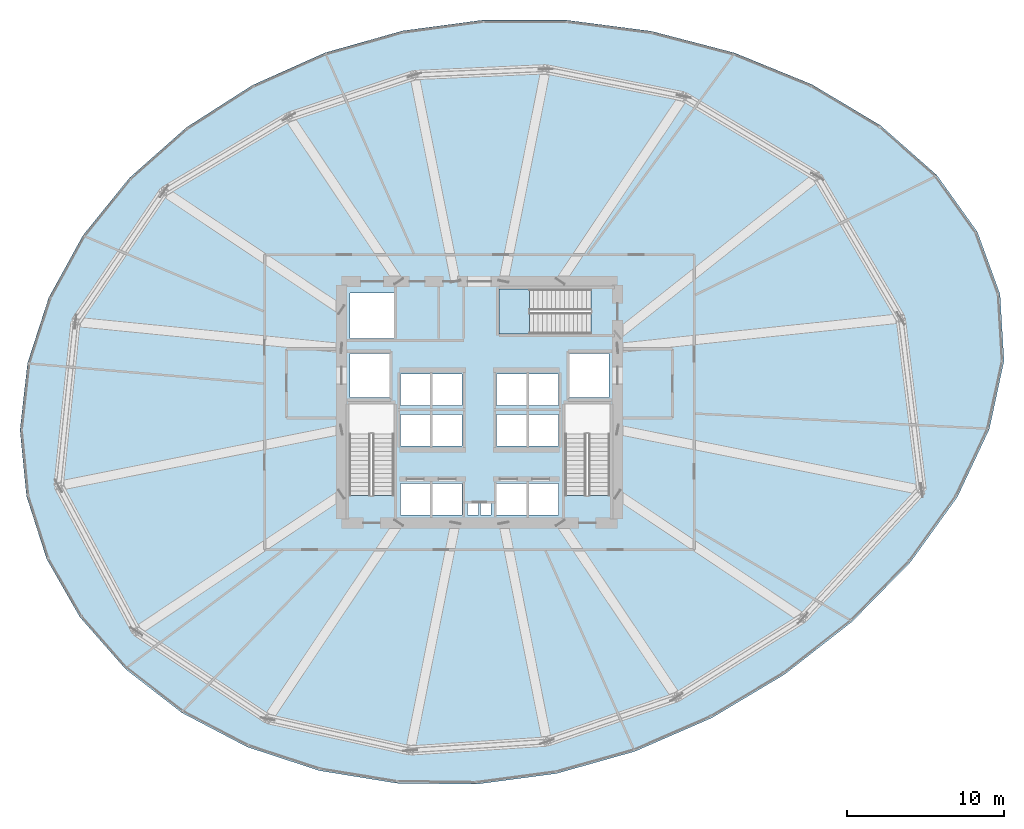
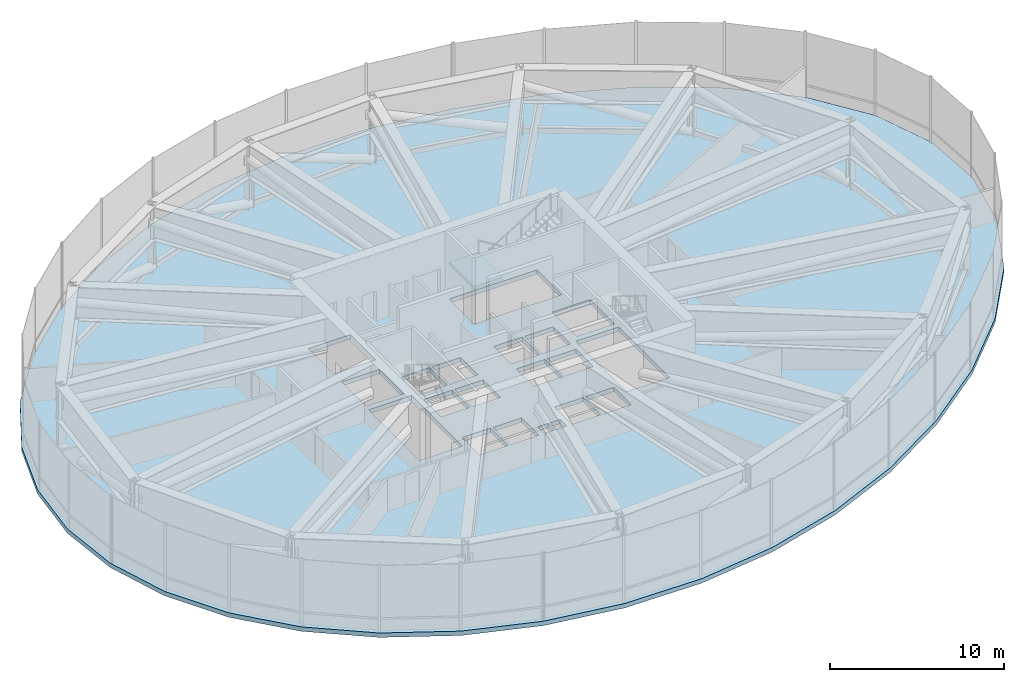
# One storey, part 27 of 33: 2 slabs, 1 element without a shape of its own.
"""IFC4 building model written with IfcOpenShell, lengths in metres."""

from ifc_helpers import new_model, si_unit, direction, frame, origin, place, context, subcontext, project, spatial, polyline, outline, extrude, material, layer, layer_set, type_object, element, aggregate, save


model = new_model("IFC4")

# Units and contexts
model_context = context("Model", 3, precision=1e-05, world=origin(), true_north=direction((0.0, 1.0)))
body_context = subcontext(model_context, "Body", "Model", "MODEL_VIEW")
ifc_project = project(units=[si_unit("LENGTHUNIT", "METRE"), si_unit("AREAUNIT", "SQUARE_METRE"), si_unit("VOLUMEUNIT", "CUBIC_METRE"), si_unit("PLANEANGLEUNIT", "RADIAN"), si_unit("MASSUNIT", "GRAM", prefix="KILO"), si_unit("THERMODYNAMICTEMPERATUREUNIT", "KELVIN")], contexts=[model_context])

# Site, building, storey
site_placement = place(None, origin())
site = spatial("IfcSite", under=ifc_project, at=site_placement, CompositionType="ELEMENT")
building_placement = place(site_placement, origin())
building = spatial("IfcBuilding", under=site, at=building_placement, Name="Kethvar Cultural Tower", CompositionType="ELEMENT")
storey_placement = place(building_placement, frame((0.0, 0.0, 80.39990234375)))
storey = spatial("IfcBuildingStorey", under=building, at=storey_placement, Name="L19", CompositionType="ELEMENT", Elevation=80.39990234375)

# Slab
ifc_material_1 = material(Name="Concrete C50/60", Category="concrete")
ifc_layer_1 = layer(ifc_material_1, 0.31005859375, Name="Concrete C50/60", Category="concrete")
ifc_layer_set_1 = layer_set([ifc_layer_1], Name="Concrete C50/60 (310 mm)")
slab_type_1 = type_object("IfcSlabType", Name="SL-BELT-310", PredefinedType="FLOOR", material=ifc_layer_set_1)
slab_1_placement = place(storey_placement, frame((0.0, 0.0, -0.309814453125)))
element("IfcSlab", 1, at=slab_1_placement, inside=storey, type_object=slab_type_1, Name="L19 Structural Floor Slab", PredefinedType="FLOOR", context=body_context, shape_type="SweptSolid", body=[
    extrude(outline(polyline([(79.98974609375, 34.67333984375), (78.53759765625, 38.66015625), (75.950439453125, 42.28173828125), (72.367431640625, 45.4404296875), (67.985595703125, 48.05859375), (63.03564453125, 50.076904296875), (57.756103515625, 51.4521484375), (52.365234375, 52.15478515625), (47.040771484375, 52.166015625), (41.89697265625, 51.47607421875), (36.956298828125, 50.07763671875), (32.314697265625, 48.00244140625), (28.11328125, 45.3134765625), (24.4794921875, 42.09228515625), (21.524169921875, 38.43701171875), (19.336669921875, 34.458251953125), (17.983642578125, 30.27734375), (17.50634765625, 26.021240234375), (17.9189453125, 21.819091796875), (19.208984375, 17.798583984375), (21.337646484375, 14.08203125), (24.23974609375, 10.7822265625), (27.827392578125, 7.999755859375), (31.991455078125, 5.818603515625), (36.605712890625, 4.305419921875), (41.529541015625, 3.506103515625), (46.61328125, 3.445068359375), (51.703125, 4.1240234375), (56.697998046875, 5.533447265625), (61.580078125, 7.658447265625), (66.248291015625, 10.444091796875), (70.547607421875, 13.80322265625), (74.288818359375, 17.621337890625), (77.2705078125, 21.764404296875), (79.304443359375, 26.08642578125), (80.240478515625, 30.4375), (79.98974609375, 34.67333984375)]), holes=[polyline([(38.489990234375, 21.85009765625), (38.489990234375, 27.699951171875), (41.35009765625, 27.699951171875), (41.35009765625, 21.85009765625), (38.489990234375, 21.85009765625)]), polyline([(52.25, 21.85009765625), (52.25, 27.699951171875), (55.110107421875, 27.699951171875), (55.110107421875, 21.85009765625), (52.25, 21.85009765625)]), polyline([(53.89990234375, 32.14990234375), (48.050048828125, 32.14990234375), (48.050048828125, 35.010009765625), (53.89990234375, 35.010009765625), (53.89990234375, 32.14990234375)]), polyline([(41.75, 22.60009765625), (43.64990234375, 22.60009765625), (43.64990234375, 20.60009765625), (41.75, 20.60009765625), (41.75, 22.60009765625)]), polyline([(43.800048828125, 22.60009765625), (45.699951171875, 22.60009765625), (45.699951171875, 20.60009765625), (43.800048828125, 20.60009765625), (43.800048828125, 22.60009765625)]), polyline([(47.89990234375, 22.60009765625), (49.800048828125, 22.60009765625), (49.800048828125, 20.60009765625), (47.89990234375, 20.60009765625), (47.89990234375, 22.60009765625)]), polyline([(49.949951171875, 22.60009765625), (51.85009765625, 22.60009765625), (51.85009765625, 20.60009765625), (49.949951171875, 20.60009765625), (49.949951171875, 22.60009765625)]), polyline([(41.75, 27.0), (43.64990234375, 27.0), (43.64990234375, 25.0), (41.75, 25.0), (41.75, 27.0)]), polyline([(43.800048828125, 27.0), (45.699951171875, 27.0), (45.699951171875, 25.0), (43.800048828125, 25.0), (43.800048828125, 27.0)]), polyline([(47.89990234375, 27.0), (49.800048828125, 27.0), (49.800048828125, 25.0), (47.89990234375, 25.0), (47.89990234375, 27.0)]), polyline([(49.949951171875, 27.0), (51.85009765625, 27.0), (51.85009765625, 25.0), (49.949951171875, 25.0), (49.949951171875, 27.0)]), polyline([(41.75, 29.60009765625), (43.64990234375, 29.60009765625), (43.64990234375, 27.60009765625), (41.75, 27.60009765625), (41.75, 29.60009765625)]), polyline([(43.800048828125, 29.60009765625), (45.699951171875, 29.60009765625), (45.699951171875, 27.60009765625), (43.800048828125, 27.60009765625), (43.800048828125, 29.60009765625)]), polyline([(47.89990234375, 29.60009765625), (49.800048828125, 29.60009765625), (49.800048828125, 27.60009765625), (47.89990234375, 27.60009765625), (47.89990234375, 29.60009765625)]), polyline([(49.949951171875, 29.60009765625), (51.85009765625, 29.60009765625), (51.85009765625, 27.60009765625), (49.949951171875, 27.60009765625), (49.949951171875, 29.60009765625)]), polyline([(38.550048828125, 30.89990234375), (41.050048828125, 30.89990234375), (41.050048828125, 28.10009765625), (38.550048828125, 28.10009765625), (38.550048828125, 30.89990234375)]), polyline([(52.550048828125, 30.89990234375), (55.050048828125, 30.89990234375), (55.050048828125, 28.10009765625), (52.550048828125, 28.10009765625), (52.550048828125, 30.89990234375)]), polyline([(38.550048828125, 34.75), (41.35009765625, 34.75), (41.35009765625, 31.85009765625), (38.550048828125, 31.85009765625), (38.550048828125, 34.75)]), polyline([(46.050048828125, 21.35009765625), (46.75, 21.35009765625), (46.75, 20.60009765625), (46.050048828125, 20.60009765625), (46.050048828125, 21.35009765625)]), polyline([(46.85009765625, 21.35009765625), (47.550048828125, 21.35009765625), (47.550048828125, 20.60009765625), (46.85009765625, 20.60009765625), (46.85009765625, 21.35009765625)])]), origin(), (0.0, 0.0, 1.0), 0.309814453125),
])

# Stair, slab
ifc_material_2 = material(Name="Concrete C40/50", Category="concrete")
stair_type = type_object("IfcStairType", Name="ST-DOGLEG-135", PredefinedType="HALF_TURN_STAIR", material=ifc_material_2)
stair_placement = place(storey_placement, origin())
stair = element("IfcStair", 2, at=stair_placement, inside=storey, type_object=stair_type, Name="L19 Core Exit Stair 3", PredefinedType="HALF_TURN_STAIR")
ifc_layer_2 = layer(ifc_material_2, 0.199951171875, Name="Concrete C40/50", Category="concrete")
ifc_layer_set_2 = layer_set([ifc_layer_2], Name="Concrete C40/50 (200 mm)")
slab_type_2 = type_object("IfcSlabType", Name="SL-STAIR-LANDING-200", PredefinedType="LANDING", material=ifc_layer_set_2)
slab_2_placement = place(storey_placement, frame((0.0, 0.0, 2.400146484375)))
slab_2 = element("IfcSlab", 3, at=slab_2_placement, type_object=slab_type_2, Name="ST-03 landing 1", PredefinedType="LANDING", context=body_context, shape_type="SweptSolid", body=[
    extrude(outline(polyline([(49.97998046875, 35.010009765625), (48.050048828125, 35.010009765625), (48.050048828125, 32.14990234375), (49.97998046875, 32.14990234375), (49.97998046875, 35.010009765625)])), origin(), (0.0, 0.0, 1.0), 0.199951171875),
])
aggregate(stair, [slab_2])

save(model, "model.ifc")
